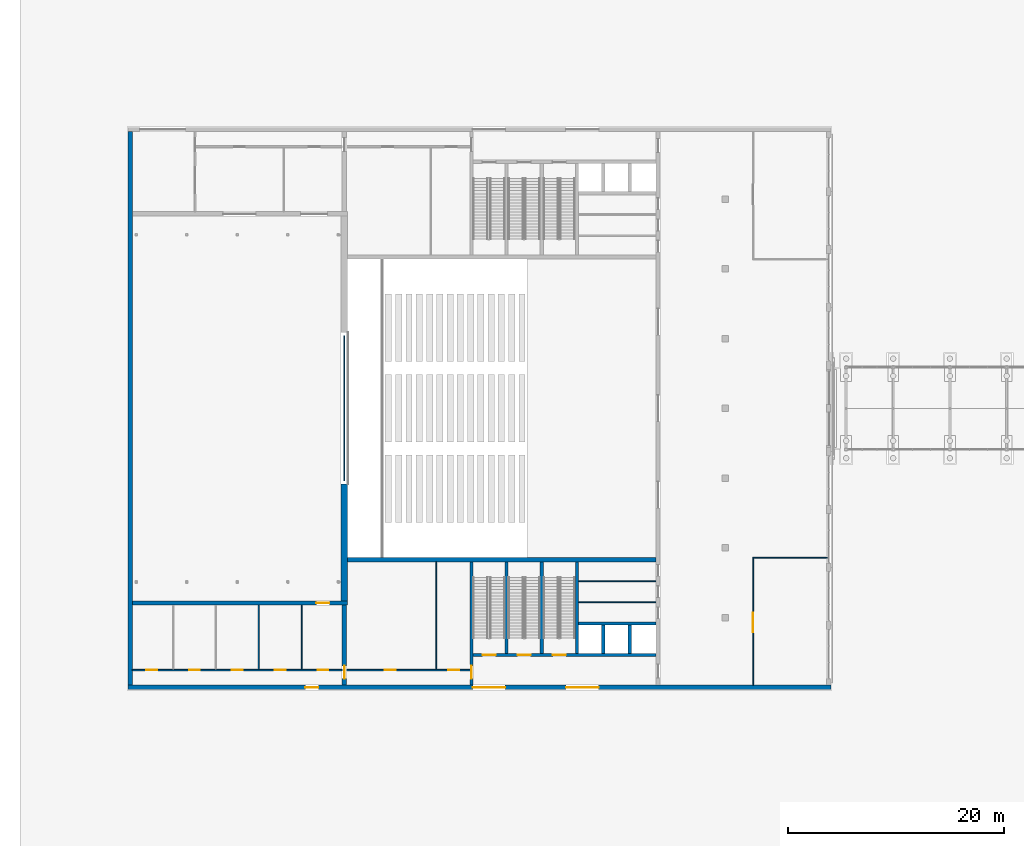
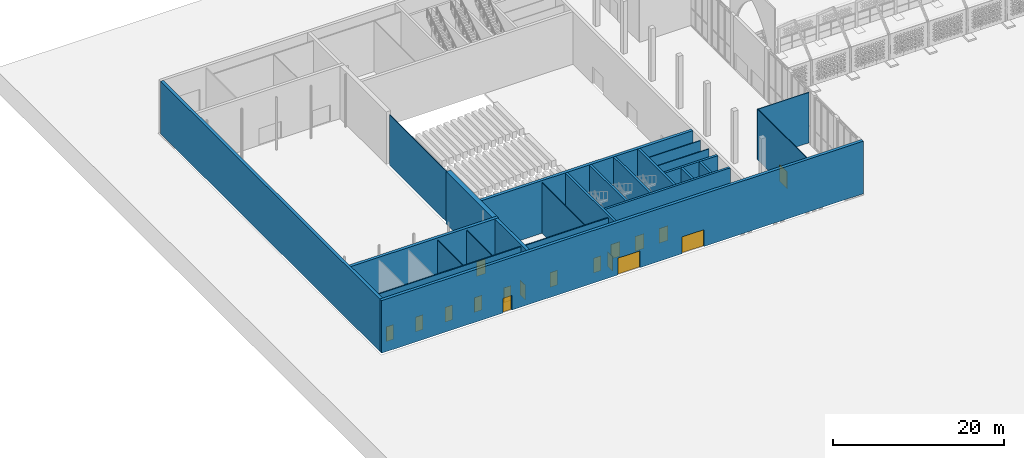
# One storey, part 39 of 79: 24 walls, 17 doors, 17 openings.
"""IFC4 building model written with IfcOpenShell, lengths in metres."""

from ifc_helpers import new_model, si_unit, direction, frame, frame_2d, origin, place, context, subcontext, project, spatial, rectangle, extrude, material, layer, layer_set, type_object, element, fill, save


model = new_model("IFC4")

# Units and contexts
model_context = context("Model", 3, precision=1e-05, world=origin(), true_north=direction((0.0, 1.0)))
body_context = subcontext(model_context, "Body", "Model", "MODEL_VIEW")
ifc_project = project(units=[si_unit("LENGTHUNIT", "METRE"), si_unit("AREAUNIT", "SQUARE_METRE"), si_unit("VOLUMEUNIT", "CUBIC_METRE"), si_unit("PLANEANGLEUNIT", "RADIAN"), si_unit("MASSUNIT", "GRAM", prefix="KILO")], contexts=[model_context])

# Site, building, storey
site_placement = place(None, origin())
site = spatial("IfcSite", under=ifc_project, at=site_placement, CompositionType="ELEMENT")
building_placement = place(site_placement, origin())
building = spatial("IfcBuilding", under=site, at=building_placement, Name="Noorbagh Ring Tower", CompositionType="ELEMENT")
storey_placement = place(building_placement, origin())
storey = spatial("IfcBuildingStorey", under=building, at=storey_placement, Name="L00", CompositionType="ELEMENT", Elevation=0.0)

# Walls
ifc_material_1 = material(Name="Gypsum board on steel studs", Category="steel")
ifc_layer_1 = layer(ifc_material_1, 0.10009765625)
ifc_layer_set_1 = layer_set([ifc_layer_1], Name="Gypsum board on steel studs")
wall_type_1 = type_object("IfcWallType", Name="TH-PART-100", PredefinedType="PARTITIONING", material=ifc_layer_set_1)
for number, where, z_axis, x_axis, name in (
    (1, (-118.35009765625, -12.93310546875, 0.0), (0.0, 0.0, 1.0), (1.0, 0.0, 0.0), "L00/th-wall/049"),
    (2, (-118.35009765625, -10.967041015625, 0.0), (0.0, 0.0, 1.0), (1.0, 0.0, 0.0), "L00/th-wall/050"),
):
    element("IfcWall", number, at=place(storey_placement, frame(where, z_axis=z_axis, x_axis=x_axis)), inside=storey, type_object=wall_type_1, Name=name, PredefinedType="PARTITIONING", context=body_context, shape_type="SweptSolid", body=[
        extrude(rectangle(XDim=7.150146484375, YDim=0.10009765625, at=frame_2d((3.5751953125, 0.0))), origin(), (0.0, 0.0, 1.0), 7.199951171875),
    ])
wall_1_placement = place(storey_placement, frame((-102.25, -8.800048828125, 0.0), z_axis=(0.0, 0.0, 1.0), x_axis=(1.0, 0.0, 0.0)))
element("IfcWall", 3, at=wall_1_placement, inside=storey, type_object=wall_type_1, Name="L00/th-wall/051", PredefinedType="PARTITIONING", context=body_context, shape_type="SweptSolid", body=[
    extrude(rectangle(XDim=6.949951171875, YDim=0.10009765625, at=frame_2d((3.47509765625, 0.0))), origin(), (0.0, 0.0, 1.0), 7.199951171875),
])
for number, where, z_axis, x_axis, name in (
    (4, (-147.919921875, -19.125, 0.0), (0.0, 0.0, 1.0), (0.0, 1.0, 0.0), "L00/th-wall/060"),
    (5, (-143.9599609375, -19.125, 0.0), (0.0, 0.0, 1.0), (0.0, 1.0, 0.0), "L00/th-wall/062"),
):
    element("IfcWall", number, at=place(storey_placement, frame(where, z_axis=z_axis, x_axis=x_axis)), inside=storey, type_object=wall_type_1, Name=name, PredefinedType="PARTITIONING", context=body_context, shape_type="SweptSolid", body=[
        extrude(rectangle(XDim=5.925048828125, YDim=0.10009765625, at=frame_2d((2.96240234375, 0.0))), origin(), (0.0, 0.0, 1.0), 7.199951171875),
    ])
wall_2_placement = place(storey_placement, frame((-140.0, -1.699951171875, 0.0), z_axis=(0.0, 0.0, 1.0), x_axis=(0.0, 1.0, 0.0)))
element("IfcWall", 6, at=wall_2_placement, inside=storey, type_object=wall_type_1, Name="L00/th-wall/063", PredefinedType="PARTITIONING", context=body_context, shape_type="SweptSolid", body=[
    extrude(rectangle(XDim=13.39990234375, YDim=0.10009765625, at=frame_2d((6.699951171875, 0.0))), origin(), (0.0, 0.0, 1.0), 7.199951171875),
])
wall_3_placement = place(storey_placement, frame((-131.5, -19.125, 0.0), z_axis=(0.0, 0.0, 1.0), x_axis=(0.0, 1.0, 0.0)))
element("IfcWall", 7, at=wall_3_placement, inside=storey, type_object=wall_type_1, Name="L00/th-wall/065", PredefinedType="PARTITIONING", context=body_context, shape_type="SweptSolid", body=[
    extrude(rectangle(XDim=9.925048828125, YDim=0.10009765625, at=frame_2d((4.96240234375, 0.0))), origin(), (0.0, 0.0, 1.0), 7.199951171875),
])

# Wall, opening, door
wall_4_placement = place(storey_placement, frame((-102.199951171875, -20.60009765625, 0.0), z_axis=(0.0, 0.0, 1.0), x_axis=(0.0, 1.0, 0.0)))
wall_4 = element("IfcWall", 8, at=wall_4_placement, inside=storey, type_object=wall_type_1, Name="L00/th-wall/066", PredefinedType="PARTITIONING", context=body_context, shape_type="SweptSolid", body=[
    extrude(rectangle(XDim=11.75, YDim=0.10009765625, at=frame_2d((5.875, 0.0))), origin(), (0.0, 0.0, 1.0), 7.199951171875),
])
opening_1_placement = place(wall_4_placement, frame((4.89990234375, 0.0, 0.0)))
opening_1 = element("IfcOpeningElement", 9, at=opening_1_placement, cuts=wall_4, Name="Opening TL00-D38", PredefinedType="OPENING", context=body_context, shape_type="SweptSolid", body=[
    extrude(rectangle(XDim=1.800048828125, YDim=2.39990234375, at=frame_2d((0.89990234375, 1.199951171875))), frame((0.0, 0.06005859375, 0.0), z_axis=(0.0, -1.0, 0.0), x_axis=(1.0, 0.0, 0.0)), (0.0, 0.0, 1.0), 0.1201171875),
])
ifc_material_2 = material(Name="Timber", Category="wood")
door_type_1 = type_object("IfcDoorType", Name="TH-DOOR-DBL-1800", OperationType="DOUBLE_DOOR_SINGLE_SWING", PredefinedType="DOOR", material=ifc_material_2)
door_1_placement = place(opening_1_placement, origin())
door_1 = element("IfcDoor", 10, at=door_1_placement, inside=storey, type_object=door_type_1, Name="Door Grand foyer to Box office TL00-D38", OperationType="DOUBLE_DOOR_SINGLE_SWING", OverallHeight=2.39990234375, OverallWidth=1.800048828125, PredefinedType="DOOR", context=body_context, shape_type="SweptSolid", body=[
    extrude(rectangle(XDim=1.800048828125, YDim=2.39990234375, at=frame_2d((0.89990234375, 1.199951171875))), frame((0.0, 0.02490234375, 0.0), z_axis=(0.0, -1.0, 0.0), x_axis=(1.0, 0.0, 0.0)), (0.0, 0.0, 1.0), 0.050048828125),
])
fill(opening_1, door_1)

# Wall, openings, doors
ifc_material_3 = material(Name="Gypsum board on steel studs", Category="steel")
ifc_layer_2 = layer(ifc_material_3, 0.14990234375)
ifc_layer_set_2 = layer_set([ifc_layer_2], Name="Gypsum board on steel studs")
wall_type_2 = type_object("IfcWallType", Name="TH-PART-150", PredefinedType="PARTITIONING", material=ifc_layer_set_2)
wall_5_placement = place(storey_placement, frame((-159.60009765625, -19.199951171875, 0.0), z_axis=(0.0, 0.0, 1.0), x_axis=(1.0, 0.0, 0.0)))
wall_5 = element("IfcWall", 11, at=wall_5_placement, inside=storey, type_object=wall_type_2, Name="L00/th-wall/047", PredefinedType="PARTITIONING", context=body_context, shape_type="SweptSolid", body=[
    extrude(rectangle(XDim=19.400146484375, YDim=0.14990234375, at=frame_2d((9.7001953125, 0.0))), origin(), (0.0, 0.0, 1.0), 7.199951171875),
])
opening_2_placement = place(wall_5_placement, frame((1.280029296875, 0.0, 0.0)))
opening_2 = element("IfcOpeningElement", 12, at=opening_2_placement, cuts=wall_5, Name="Opening TL00-D01", PredefinedType="OPENING", context=body_context, shape_type="SweptSolid", body=[
    extrude(rectangle(XDim=1.0, YDim=2.10009765625, at=frame_2d((0.5, 1.050048828125))), frame((0.0, 0.0849609375, 0.0), z_axis=(0.0, -1.0, 0.0), x_axis=(1.0, 0.0, 0.0)), (0.0, 0.0, 1.0), 0.169921875),
])
opening_3_placement = place(wall_5_placement, frame((5.239990234375, 0.0, 0.0)))
opening_3 = element("IfcOpeningElement", 13, at=opening_3_placement, cuts=wall_5, Name="Opening TL00-D02", PredefinedType="OPENING", context=body_context, shape_type="SweptSolid", body=[
    extrude(rectangle(XDim=1.0, YDim=2.10009765625, at=frame_2d((0.5, 1.050048828125))), frame((0.0, 0.0849609375, 0.0), z_axis=(0.0, -1.0, 0.0), x_axis=(1.0, 0.0, 0.0)), (0.0, 0.0, 1.0), 0.169921875),
])
opening_4_placement = place(wall_5_placement, frame((9.199951171875, 0.0, 0.0)))
opening_4 = element("IfcOpeningElement", 14, at=opening_4_placement, cuts=wall_5, Name="Opening TL00-D03", PredefinedType="OPENING", context=body_context, shape_type="SweptSolid", body=[
    extrude(rectangle(XDim=1.0, YDim=2.10009765625, at=frame_2d((0.5, 1.050048828125))), frame((0.0, 0.0849609375, 0.0), z_axis=(0.0, -1.0, 0.0), x_axis=(1.0, 0.0, 0.0)), (0.0, 0.0, 1.0), 0.169921875),
])
opening_5_placement = place(wall_5_placement, frame((13.159912109375, 0.0, 0.0)))
opening_5 = element("IfcOpeningElement", 15, at=opening_5_placement, cuts=wall_5, Name="Opening TL00-D04", PredefinedType="OPENING", context=body_context, shape_type="SweptSolid", body=[
    extrude(rectangle(XDim=1.0, YDim=2.10009765625, at=frame_2d((0.5, 1.050048828125))), frame((0.0, 0.0849609375, 0.0), z_axis=(0.0, -1.0, 0.0), x_axis=(1.0, 0.0, 0.0)), (0.0, 0.0, 1.0), 0.169921875),
])
opening_6_placement = place(wall_5_placement, frame((17.1201171875, 0.0, 0.0)))
opening_6 = element("IfcOpeningElement", 16, at=opening_6_placement, cuts=wall_5, Name="Opening TL00-D05", PredefinedType="OPENING", context=body_context, shape_type="SweptSolid", body=[
    extrude(rectangle(XDim=1.0, YDim=2.10009765625, at=frame_2d((0.5, 1.050048828125))), frame((0.0, 0.0849609375, 0.0), z_axis=(0.0, -1.0, 0.0), x_axis=(1.0, 0.0, 0.0)), (0.0, 0.0, 1.0), 0.169921875),
])
ifc_material_4 = material(Name="Timber", Category="wood")
door_type_2 = type_object("IfcDoorType", Name="TH-DOOR-1000", OperationType="SINGLE_SWING_LEFT", PredefinedType="DOOR", material=ifc_material_4)
door_2_placement = place(opening_2_placement, origin())
door_2 = element("IfcDoor", 17, at=door_2_placement, inside=storey, type_object=door_type_2, Name="Door Corridor to Dressing room 1 TL00-D01", OperationType="SINGLE_SWING_RIGHT", OverallHeight=2.10009765625, OverallWidth=1.0, PredefinedType="DOOR", context=body_context, shape_type="SweptSolid", body=[
    extrude(rectangle(XDim=1.0, YDim=2.10009765625, at=frame_2d((0.5, 1.050048828125))), frame((0.0, 0.02490234375, 0.0), z_axis=(0.0, -1.0, 0.0), x_axis=(1.0, 0.0, 0.0)), (0.0, 0.0, 1.0), 0.050048828125),
])
fill(opening_2, door_2)
door_3_placement = place(opening_3_placement, origin())
door_3 = element("IfcDoor", 18, at=door_3_placement, inside=storey, type_object=door_type_2, Name="Door Corridor to Dressing room 2 TL00-D02", OperationType="SINGLE_SWING_RIGHT", OverallHeight=2.10009765625, OverallWidth=1.0, PredefinedType="DOOR", context=body_context, shape_type="SweptSolid", body=[
    extrude(rectangle(XDim=1.0, YDim=2.10009765625, at=frame_2d((0.5, 1.050048828125))), frame((0.0, 0.02490234375, 0.0), z_axis=(0.0, -1.0, 0.0), x_axis=(1.0, 0.0, 0.0)), (0.0, 0.0, 1.0), 0.050048828125),
])
fill(opening_3, door_3)
door_4_placement = place(opening_4_placement, origin())
door_4 = element("IfcDoor", 19, at=door_4_placement, inside=storey, type_object=door_type_2, Name="Door Corridor to Dressing room 3 TL00-D03", OperationType="SINGLE_SWING_RIGHT", OverallHeight=2.10009765625, OverallWidth=1.0, PredefinedType="DOOR", context=body_context, shape_type="SweptSolid", body=[
    extrude(rectangle(XDim=1.0, YDim=2.10009765625, at=frame_2d((0.5, 1.050048828125))), frame((0.0, 0.02490234375, 0.0), z_axis=(0.0, -1.0, 0.0), x_axis=(1.0, 0.0, 0.0)), (0.0, 0.0, 1.0), 0.050048828125),
])
fill(opening_4, door_4)
door_5_placement = place(opening_5_placement, origin())
door_5 = element("IfcDoor", 20, at=door_5_placement, inside=storey, type_object=door_type_2, Name="Door Corridor to Dressing room 4 TL00-D04", OperationType="SINGLE_SWING_LEFT", OverallHeight=2.10009765625, OverallWidth=1.0, PredefinedType="DOOR", context=body_context, shape_type="SweptSolid", body=[
    extrude(rectangle(XDim=1.0, YDim=2.10009765625, at=frame_2d((0.5, 1.050048828125))), frame((0.0, 0.02490234375, 0.0), z_axis=(0.0, -1.0, 0.0), x_axis=(1.0, 0.0, 0.0)), (0.0, 0.0, 1.0), 0.050048828125),
])
fill(opening_5, door_5)
ifc_material_5 = material(Name="Steel", Category="steel")
door_type_3 = type_object("IfcDoorType", Name="TH-DOOR-FIRE-1000", OperationType="SINGLE_SWING_LEFT", PredefinedType="DOOR", material=ifc_material_5)
door_6_placement = place(opening_6_placement, origin())
door_6 = element("IfcDoor", 21, at=door_6_placement, inside=storey, type_object=door_type_3, Name="Door Corridor to Stage-left entrance lobby TL00-D05", OperationType="SINGLE_SWING_LEFT", OverallHeight=2.10009765625, OverallWidth=1.0, PredefinedType="DOOR", context=body_context, shape_type="SweptSolid", body=[
    extrude(rectangle(XDim=1.0, YDim=2.10009765625, at=frame_2d((0.5, 1.050048828125))), frame((0.0, 0.02490234375, 0.0), z_axis=(0.0, -1.0, 0.0), x_axis=(1.0, 0.0, 0.0)), (0.0, 0.0, 1.0), 0.050048828125),
])
fill(opening_6, door_6)

wall_6_placement = place(storey_placement, frame((-139.800048828125, -19.199951171875, 0.0), z_axis=(0.0, 0.0, 1.0), x_axis=(1.0, 0.0, 0.0)))
wall_6 = element("IfcWall", 22, at=wall_6_placement, inside=storey, type_object=wall_type_2, Name="L00/th-wall/048", PredefinedType="PARTITIONING", context=body_context, shape_type="SweptSolid", body=[
    extrude(rectangle(XDim=11.400146484375, YDim=0.14990234375, at=frame_2d((5.7001953125, 0.0))), origin(), (0.0, 0.0, 1.0), 7.199951171875),
])
opening_7_placement = place(wall_6_placement, frame((3.550048828125, 0.0, 0.0)))
opening_7 = element("IfcOpeningElement", 23, at=opening_7_placement, cuts=wall_6, Name="Opening TL00-D06", PredefinedType="OPENING", context=body_context, shape_type="SweptSolid", body=[
    extrude(rectangle(XDim=1.0, YDim=2.10009765625, at=frame_2d((0.5, 1.050048828125))), frame((0.0, 0.0849609375, 0.0), z_axis=(0.0, -1.0, 0.0), x_axis=(1.0, 0.0, 0.0)), (0.0, 0.0, 1.0), 0.169921875),
])
opening_8_placement = place(wall_6_placement, frame((9.425048828125, 0.0, 0.0)))
opening_8 = element("IfcOpeningElement", 24, at=opening_8_placement, cuts=wall_6, Name="Opening TL00-D07", PredefinedType="OPENING", context=body_context, shape_type="SweptSolid", body=[
    extrude(rectangle(XDim=1.0, YDim=2.10009765625, at=frame_2d((0.5, 1.050048828125))), frame((0.0, 0.0849609375, 0.0), z_axis=(0.0, -1.0, 0.0), x_axis=(1.0, 0.0, 0.0)), (0.0, 0.0, 1.0), 0.169921875),
])
door_7_placement = place(opening_7_placement, origin())
door_7 = element("IfcDoor", 25, at=door_7_placement, inside=storey, type_object=door_type_2, Name="Door Corridor to Green room TL00-D06", OperationType="SINGLE_SWING_RIGHT", OverallHeight=2.10009765625, OverallWidth=1.0, PredefinedType="DOOR", context=body_context, shape_type="SweptSolid", body=[
    extrude(rectangle(XDim=1.0, YDim=2.10009765625, at=frame_2d((0.5, 1.050048828125))), frame((0.0, 0.02490234375, 0.0), z_axis=(0.0, -1.0, 0.0), x_axis=(1.0, 0.0, 0.0)), (0.0, 0.0, 1.0), 0.050048828125),
])
fill(opening_7, door_7)
door_8_placement = place(opening_8_placement, origin())
door_8 = element("IfcDoor", 26, at=door_8_placement, inside=storey, type_object=door_type_2, Name="Door Corridor to Production office TL00-D07", OperationType="SINGLE_SWING_LEFT", OverallHeight=2.10009765625, OverallWidth=1.0, PredefinedType="DOOR", context=body_context, shape_type="SweptSolid", body=[
    extrude(rectangle(XDim=1.0, YDim=2.10009765625, at=frame_2d((0.5, 1.050048828125))), frame((0.0, 0.02490234375, 0.0), z_axis=(0.0, -1.0, 0.0), x_axis=(1.0, 0.0, 0.0)), (0.0, 0.0, 1.0), 0.050048828125),
])
fill(opening_8, door_8)

# Wall, opening, door
ifc_material_6 = material(Name="Concrete C50/60", Category="concrete")
ifc_layer_3 = layer(ifc_material_6, 0.300048828125)
ifc_layer_set_3 = layer_set([ifc_layer_3], Name="Concrete C50/60")
wall_type_3 = type_object("IfcWallType", Name="TH-WALL-CORE", PredefinedType="SHEAR", material=ifc_layer_set_3)
wall_7_placement = place(storey_placement, frame((-128.25, -20.60009765625, 0.0), z_axis=(0.0, 0.0, 1.0), x_axis=(0.0, 1.0, 0.0)))
wall_7 = element("IfcWall", 27, at=wall_7_placement, inside=storey, type_object=wall_type_3, Name="Core wall", PredefinedType="SHEAR", context=body_context, shape_type="SweptSolid", body=[
    extrude(rectangle(XDim=11.400146484375, YDim=0.300048828125, at=frame_2d((5.7001953125, 0.0))), origin(), (0.0, 0.0, 1.0), 7.5),
])
opening_9_placement = place(wall_7_placement, frame((0.60009765625, 0.0, 0.0)))
opening_9 = element("IfcOpeningElement", 28, at=opening_9_placement, cuts=wall_7, Name="Opening TL00-D09", PredefinedType="OPENING", context=body_context, shape_type="SweptSolid", body=[
    extrude(rectangle(XDim=1.199951171875, YDim=2.10009765625, at=frame_2d((0.60009765625, 1.050048828125))), frame((0.0, 0.16015625, 0.0), z_axis=(0.0, -1.0, 0.0), x_axis=(1.0, 0.0, 0.0)), (0.0, 0.0, 1.0), 0.320068359375),
])
ifc_material_7 = material(Name="Steel", Category="steel")
door_type_4 = type_object("IfcDoorType", Name="TH-DOOR-FIRE-1200", OperationType="SINGLE_SWING_LEFT", PredefinedType="DOOR", material=ifc_material_7)
door_9_placement = place(opening_9_placement, origin())
door_9 = element("IfcDoor", 29, at=door_9_placement, inside=storey, type_object=door_type_4, Name="Door Corridor to Exit lobby TL00-D09", OperationType="SINGLE_SWING_LEFT", OverallHeight=2.10009765625, OverallWidth=1.199951171875, PredefinedType="DOOR", context=body_context, shape_type="SweptSolid", body=[
    extrude(rectangle(XDim=1.199951171875, YDim=2.10009765625, at=frame_2d((0.60009765625, 1.050048828125))), frame((0.0, 0.02490234375, 0.0), z_axis=(0.0, -1.0, 0.0), x_axis=(1.0, 0.0, 0.0)), (0.0, 0.0, 1.0), 0.050048828125),
])
fill(opening_9, door_9)

# Wall, openings, doors
wall_8_placement = place(storey_placement, frame((-128.10009765625, -17.800048828125, 0.0), z_axis=(0.0, 0.0, 1.0), x_axis=(1.0, 0.0, 0.0)))
wall_8 = element("IfcWall", 30, at=wall_8_placement, inside=storey, type_object=wall_type_3, Name="Exit lobby wall", PredefinedType="SHEAR", context=body_context, shape_type="SweptSolid", body=[
    extrude(rectangle(XDim=16.900146484375, YDim=0.300048828125, at=frame_2d((8.4501953125, 0.0))), origin(), (0.0, 0.0, 1.0), 7.5),
])
opening_10_placement = place(wall_8_placement, frame((4.125, 0.0, 0.0)))
opening_10 = element("IfcOpeningElement", 31, at=opening_10_placement, cuts=wall_8, Name="Opening TL00-D10", PredefinedType="OPENING", context=body_context, shape_type="SweptSolid", body=[
    extrude(rectangle(XDim=1.199951171875, YDim=2.10009765625, at=frame_2d((0.60009765625, 1.050048828125))), frame((0.0, 0.16015625, 0.0), z_axis=(0.0, -1.0, 0.0), x_axis=(1.0, 0.0, 0.0)), (0.0, 0.0, 1.0), 0.320068359375),
])
opening_11_placement = place(wall_8_placement, frame((7.375, 0.0, 0.0)))
opening_11 = element("IfcOpeningElement", 32, at=opening_11_placement, cuts=wall_8, Name="Opening TL00-D11", PredefinedType="OPENING", context=body_context, shape_type="SweptSolid", body=[
    extrude(rectangle(XDim=1.199951171875, YDim=2.10009765625, at=frame_2d((0.60009765625, 1.050048828125))), frame((0.0, 0.16015625, 0.0), z_axis=(0.0, -1.0, 0.0), x_axis=(1.0, 0.0, 0.0)), (0.0, 0.0, 1.0), 0.320068359375),
])
opening_12_placement = place(wall_8_placement, frame((0.875, 0.0, 0.0)))
opening_12 = element("IfcOpeningElement", 33, at=opening_12_placement, cuts=wall_8, Name="Opening TL00-D12", PredefinedType="OPENING", context=body_context, shape_type="SweptSolid", body=[
    extrude(rectangle(XDim=1.199951171875, YDim=2.10009765625, at=frame_2d((0.60009765625, 1.050048828125))), frame((0.0, 0.16015625, 0.0), z_axis=(0.0, -1.0, 0.0), x_axis=(1.0, 0.0, 0.0)), (0.0, 0.0, 1.0), 0.320068359375),
])
ifc_material_8 = material(Name="Steel", Category="steel")
door_type_5 = type_object("IfcDoorType", Name="TH-DOOR-STAIR-1200", OperationType="SINGLE_SWING_LEFT", PredefinedType="DOOR", material=ifc_material_8)
door_10_placement = place(opening_10_placement, origin())
door_10 = element("IfcDoor", 34, at=door_10_placement, inside=storey, type_object=door_type_5, Name="Door Exit lobby to Exit stair S1 TL00-D10", OperationType="SINGLE_SWING_RIGHT", OverallHeight=2.10009765625, OverallWidth=1.199951171875, PredefinedType="DOOR", context=body_context, shape_type="SweptSolid", body=[
    extrude(rectangle(XDim=1.199951171875, YDim=2.10009765625, at=frame_2d((0.60009765625, 1.050048828125))), frame((0.0, 0.02490234375, 0.0), z_axis=(0.0, -1.0, 0.0), x_axis=(1.0, 0.0, 0.0)), (0.0, 0.0, 1.0), 0.050048828125),
])
fill(opening_10, door_10)
door_11_placement = place(opening_11_placement, origin())
door_11 = element("IfcDoor", 35, at=door_11_placement, inside=storey, type_object=door_type_5, Name="Door Exit lobby to Exit stair S2 TL00-D11", OperationType="SINGLE_SWING_RIGHT", OverallHeight=2.10009765625, OverallWidth=1.199951171875, PredefinedType="DOOR", context=body_context, shape_type="SweptSolid", body=[
    extrude(rectangle(XDim=1.199951171875, YDim=2.10009765625, at=frame_2d((0.60009765625, 1.050048828125))), frame((0.0, 0.02490234375, 0.0), z_axis=(0.0, -1.0, 0.0), x_axis=(1.0, 0.0, 0.0)), (0.0, 0.0, 1.0), 0.050048828125),
])
fill(opening_11, door_11)
door_12_placement = place(opening_12_placement, origin())
door_12 = element("IfcDoor", 36, at=door_12_placement, inside=storey, type_object=door_type_5, Name="Door Exit lobby to Exit stair S3 TL00-D12", OperationType="SINGLE_SWING_RIGHT", OverallHeight=2.10009765625, OverallWidth=1.199951171875, PredefinedType="DOOR", context=body_context, shape_type="SweptSolid", body=[
    extrude(rectangle(XDim=1.199951171875, YDim=2.10009765625, at=frame_2d((0.60009765625, 1.050048828125))), frame((0.0, 0.02490234375, 0.0), z_axis=(0.0, -1.0, 0.0), x_axis=(1.0, 0.0, 0.0)), (0.0, 0.0, 1.0), 0.050048828125),
])
fill(opening_12, door_12)

# Walls
for number, where, z_axis, x_axis, name in (
    (37, (-125.0, -17.64990234375, 0.0), (0.0, 0.0, 1.0), (0.0, 1.0, 0.0), "Stair wall"),
    (38, (-121.75, -17.64990234375, 0.0), (0.0, 0.0, 1.0), (0.0, 1.0, 0.0), "Stair wall"),
    (39, (-118.5, -17.64990234375, 0.0), (0.0, 0.0, 1.0), (0.0, 1.0, 0.0), "Stair wall"),
):
    element("IfcWall", number, at=place(storey_placement, frame(where, z_axis=z_axis, x_axis=x_axis)), inside=storey, type_object=wall_type_3, Name=name, PredefinedType="SHEAR", context=body_context, shape_type="SweptSolid", body=[
        extrude(rectangle(XDim=8.449951171875, YDim=0.300048828125, at=frame_2d((4.22509765625, 0.0))), origin(), (0.0, 0.0, 1.0), 7.5),
    ])
wall_9_placement = place(storey_placement, frame((-118.35009765625, -14.89990234375, 0.0), z_axis=(0.0, 0.0, 1.0), x_axis=(1.0, 0.0, 0.0)))
element("IfcWall", 40, at=wall_9_placement, inside=storey, type_object=wall_type_3, Name="Lift shaft wall", PredefinedType="SHEAR", context=body_context, shape_type="SweptSolid", body=[
    extrude(rectangle(XDim=7.150146484375, YDim=0.300048828125, at=frame_2d((3.5751953125, 0.0))), origin(), (0.0, 0.0, 1.0), 7.5),
])
for number, where, z_axis, x_axis, name in (
    (41, (-116.050048828125, -17.64990234375, 0.0), (0.0, 0.0, 1.0), (0.0, 1.0, 0.0), "Lift shaft wall"),
    (42, (-113.60009765625, -17.64990234375, 0.0), (0.0, 0.0, 1.0), (0.0, 1.0, 0.0), "Lift shaft wall"),
):
    element("IfcWall", number, at=place(storey_placement, frame(where, z_axis=z_axis, x_axis=x_axis)), inside=storey, type_object=wall_type_3, Name=name, PredefinedType="SHEAR", context=body_context, shape_type="SweptSolid", body=[
        extrude(rectangle(XDim=2.599853515625, YDim=0.300048828125, at=frame_2d((1.2998046875, 0.0))), origin(), (0.0, 0.0, 1.0), 7.5),
    ])
ifc_material_9 = material(Name="Concrete C50/60", Category="concrete")
ifc_layer_4 = layer(ifc_material_9, 0.39990234375)
ifc_layer_set_4 = layer_set([ifc_layer_4], Name="Concrete C50/60")
wall_type_4 = type_object("IfcWallType", Name="TH-WALL-HALL", PredefinedType="SOLIDWALL", material=ifc_layer_set_4)
wall_10_placement = place(storey_placement, frame((-139.699951171875, -9.0, 0.0), z_axis=(0.0, 0.0, 1.0), x_axis=(1.0, 0.0, 0.0)))
element("IfcWall", 43, at=wall_10_placement, inside=storey, type_object=wall_type_4, Name="Auditorium wall south", PredefinedType="SOLIDWALL", context=body_context, shape_type="SweptSolid", body=[
    extrude(rectangle(XDim=28.5, YDim=0.39990234375, at=frame_2d((14.25, 0.0))), origin(), (0.0, 0.0, 1.0), 7.5),
])

# Wall, opening, door
ifc_material_10 = material(Name="Concrete C40/50", Category="concrete")
ifc_layer_5 = layer(ifc_material_10, 0.39990234375)
ifc_layer_set_5 = layer_set([ifc_layer_5], Name="Concrete C40/50")
wall_type_5 = type_object("IfcWallType", Name="TH-WALL-INNER", PredefinedType="SOLIDWALL", material=ifc_layer_set_5)
wall_11_placement = place(storey_placement, frame((-140.0, -20.60009765625, 0.0), z_axis=(0.0, 0.0, 1.0), x_axis=(0.0, 1.0, 0.0)))
wall_11 = element("IfcWall", 44, at=wall_11_placement, inside=storey, type_object=wall_type_5, Name="Stage block wall", PredefinedType="SOLIDWALL", context=body_context, shape_type="SweptSolid", body=[
    extrude(rectangle(XDim=7.400146484375, YDim=0.39990234375, at=frame_2d((3.7001953125, 0.0))), origin(), (0.0, 0.0, 1.0), 7.5),
])
opening_13_placement = place(wall_11_placement, frame((0.60009765625, 0.0, 0.0)))
opening_13 = element("IfcOpeningElement", 45, at=opening_13_placement, cuts=wall_11, Name="Opening TL00-D08", PredefinedType="OPENING", context=body_context, shape_type="SweptSolid", body=[
    extrude(rectangle(XDim=1.199951171875, YDim=2.10009765625, at=frame_2d((0.60009765625, 1.050048828125))), frame((0.0, 0.2099609375, 0.0), z_axis=(0.0, -1.0, 0.0), x_axis=(1.0, 0.0, 0.0)), (0.0, 0.0, 1.0), 0.419921875),
])
ifc_material_11 = material(Name="Timber", Category="wood")
door_type_6 = type_object("IfcDoorType", Name="TH-DOOR-1200", OperationType="SINGLE_SWING_LEFT", PredefinedType="DOOR", material=ifc_material_11)
door_13_placement = place(opening_13_placement, origin())
door_13 = element("IfcDoor", 46, at=door_13_placement, inside=storey, type_object=door_type_6, Name="Door Corridor to Corridor TL00-D08", OperationType="SINGLE_SWING_LEFT", OverallHeight=2.10009765625, OverallWidth=1.199951171875, PredefinedType="DOOR", context=body_context, shape_type="SweptSolid", body=[
    extrude(rectangle(XDim=1.199951171875, YDim=2.10009765625, at=frame_2d((0.60009765625, 1.050048828125))), frame((0.0, 0.02490234375, 0.0), z_axis=(0.0, -1.0, 0.0), x_axis=(1.0, 0.0, 0.0)), (0.0, 0.0, 1.0), 0.050048828125),
])
fill(opening_13, door_13)

wall_12_placement = place(storey_placement, frame((-159.60009765625, -13.0, 0.0), z_axis=(0.0, 0.0, 1.0), x_axis=(1.0, 0.0, 0.0)))
wall_12 = element("IfcWall", 47, at=wall_12_placement, inside=storey, type_object=wall_type_5, Name="Stage house wall south", PredefinedType="SOLIDWALL", context=body_context, shape_type="SweptSolid", body=[
    extrude(rectangle(XDim=19.900146484375, YDim=0.39990234375, at=frame_2d((9.9501953125, 0.0))), origin(), (0.0, 0.0, 1.0), 7.5),
])
opening_14_placement = place(wall_12_placement, frame((17.02001953125, 0.0, 0.0)))
opening_14 = element("IfcOpeningElement", 48, at=opening_14_placement, cuts=wall_12, Name="Opening TL00-D27", PredefinedType="OPENING", context=body_context, shape_type="SweptSolid", body=[
    extrude(rectangle(XDim=1.199951171875, YDim=2.10009765625, at=frame_2d((0.60009765625, 1.050048828125))), frame((0.0, 0.2099609375, 0.0), z_axis=(0.0, -1.0, 0.0), x_axis=(1.0, 0.0, 0.0)), (0.0, 0.0, 1.0), 0.419921875),
])
door_14_placement = place(opening_14_placement, origin())
door_14 = element("IfcDoor", 49, at=door_14_placement, inside=storey, type_object=door_type_4, Name="Door Stage-left entrance lobby to Stage TL00-D27", OperationType="SINGLE_SWING_LEFT", OverallHeight=2.10009765625, OverallWidth=1.199951171875, PredefinedType="DOOR", context=body_context, shape_type="SweptSolid", body=[
    extrude(rectangle(XDim=1.199951171875, YDim=2.10009765625, at=frame_2d((0.60009765625, 1.050048828125))), frame((0.0, 0.02490234375, 0.0), z_axis=(0.0, -1.0, 0.0), x_axis=(1.0, 0.0, 0.0)), (0.0, 0.0, 1.0), 0.050048828125),
])
fill(opening_14, door_14)

# Wall, openings, doors
ifc_material_12 = material(Name="Concrete C40/50", Category="concrete")
ifc_layer_6 = layer(ifc_material_12, 0.39990234375)
ifc_layer_set_6 = layer_set([ifc_layer_6], Name="Concrete C40/50")
wall_type_6 = type_object("IfcWallType", Name="TH-WALL-OUTER", PredefinedType="SOLIDWALL", material=ifc_layer_set_6)
wall_13_placement = place(storey_placement, frame((-160.0, -20.800048828125, 0.0), z_axis=(0.0, 0.0, 1.0), x_axis=(1.0, 0.0, 0.0)))
wall_13 = element("IfcWall", 50, at=wall_13_placement, inside=storey, type_object=wall_type_6, Name="Outer wall south", PredefinedType="SOLIDWALL", context=body_context, shape_type="SweptSolid", body=[
    extrude(rectangle(XDim=65.0, YDim=0.39990234375, at=frame_2d((32.5, 0.0))), origin(), (0.0, 0.0, 1.0), 7.5),
])
opening_15_placement = place(wall_13_placement, frame((40.5, 0.0, 0.0)))
opening_15 = element("IfcOpeningElement", 51, at=opening_15_placement, cuts=wall_13, Name="Opening TL00-D28", PredefinedType="OPENING", context=body_context, shape_type="SweptSolid", body=[
    extrude(rectangle(XDim=3.0, YDim=2.39990234375, at=frame_2d((1.5, 1.199951171875))), frame((0.0, 0.2099609375, 0.0), z_axis=(0.0, -1.0, 0.0), x_axis=(1.0, 0.0, 0.0)), (0.0, 0.0, 1.0), 0.419921875),
])
opening_16_placement = place(wall_13_placement, frame((31.875, 0.0, 0.0)))
opening_16 = element("IfcOpeningElement", 52, at=opening_16_placement, cuts=wall_13, Name="Opening TL00-D29", PredefinedType="OPENING", context=body_context, shape_type="SweptSolid", body=[
    extrude(rectangle(XDim=3.0, YDim=2.39990234375, at=frame_2d((1.5, 1.199951171875))), frame((0.0, 0.2099609375, 0.0), z_axis=(0.0, -1.0, 0.0), x_axis=(1.0, 0.0, 0.0)), (0.0, 0.0, 1.0), 0.419921875),
])
opening_17_placement = place(wall_13_placement, frame((16.39990234375, 0.0, 0.0)))
opening_17 = element("IfcOpeningElement", 53, at=opening_17_placement, cuts=wall_13, Name="Opening TL00-D34", PredefinedType="OPENING", context=body_context, shape_type="SweptSolid", body=[
    extrude(rectangle(XDim=1.199951171875, YDim=2.10009765625, at=frame_2d((0.60009765625, 1.050048828125))), frame((0.0, 0.2099609375, 0.0), z_axis=(0.0, -1.0, 0.0), x_axis=(1.0, 0.0, 0.0)), (0.0, 0.0, 1.0), 0.419921875),
])
ifc_material_13 = material(Name="Steel and glass", Category="steel")
door_type_7 = type_object("IfcDoorType", Name="TH-DOOR-EXIT-3000", OperationType="DOUBLE_DOOR_SINGLE_SWING", PredefinedType="DOOR", material=ifc_material_13)
door_15_placement = place(opening_15_placement, frame((3.0, 0.0, 0.0), z_axis=(0.0, 0.0, 1.0), x_axis=(-1.0, 0.0, 0.0)))
door_15 = element("IfcDoor", 54, at=door_15_placement, inside=storey, type_object=door_type_7, Name="Stair discharge door S TL00-D28", OperationType="DOUBLE_DOOR_SINGLE_SWING", OverallHeight=2.39990234375, OverallWidth=3.0, PredefinedType="DOOR", context=body_context, shape_type="SweptSolid", body=[
    extrude(rectangle(XDim=3.0, YDim=2.39990234375, at=frame_2d((1.5, 1.199951171875))), frame((0.0, 0.025146484375, 0.0), z_axis=(0.0, -1.0, 0.0), x_axis=(1.0, 0.0, 0.0)), (0.0, 0.0, 1.0), 0.050048828125),
])
fill(opening_15, door_15)
door_16_placement = place(opening_16_placement, frame((3.0, 0.0, 0.0), z_axis=(0.0, 0.0, 1.0), x_axis=(-1.0, 0.0, 0.0)))
door_16 = element("IfcDoor", 55, at=door_16_placement, inside=storey, type_object=door_type_7, Name="Stair discharge door S west TL00-D29", OperationType="DOUBLE_DOOR_SINGLE_SWING", OverallHeight=2.39990234375, OverallWidth=3.0, PredefinedType="DOOR", context=body_context, shape_type="SweptSolid", body=[
    extrude(rectangle(XDim=3.0, YDim=2.39990234375, at=frame_2d((1.5, 1.199951171875))), frame((0.0, 0.025146484375, 0.0), z_axis=(0.0, -1.0, 0.0), x_axis=(1.0, 0.0, 0.0)), (0.0, 0.0, 1.0), 0.050048828125),
])
fill(opening_16, door_16)
ifc_material_14 = material(Name="Steel", Category="steel")
door_type_8 = type_object("IfcDoorType", Name="TH-DOOR-EXT-1200", OperationType="SINGLE_SWING_LEFT", PredefinedType="DOOR", material=ifc_material_14)
door_17_placement = place(opening_17_placement, frame((1.199951171875, 0.0, 0.0), z_axis=(0.0, 0.0, 1.0), x_axis=(-1.0, 0.0, 0.0)))
door_17 = element("IfcDoor", 56, at=door_17_placement, inside=storey, type_object=door_type_8, Name="Stage door TL00-D34", OperationType="SINGLE_SWING_LEFT", OverallHeight=2.10009765625, OverallWidth=1.199951171875, PredefinedType="DOOR", context=body_context, shape_type="SweptSolid", body=[
    extrude(rectangle(XDim=1.199951171875, YDim=2.10009765625, at=frame_2d((0.599853515625, 1.050048828125))), frame((0.0, 0.025146484375, 0.0), z_axis=(0.0, -1.0, 0.0), x_axis=(1.0, 0.0, 0.0)), (0.0, 0.0, 1.0), 0.050048828125),
])
fill(opening_17, door_17)

# Walls
wall_14_placement = place(storey_placement, frame((-159.800048828125, -20.60009765625, 0.0), z_axis=(0.0, 0.0, 1.0), x_axis=(0.0, 1.0, 0.0)))
element("IfcWall", 57, at=wall_14_placement, inside=storey, type_object=wall_type_6, Name="Outer wall west", PredefinedType="SOLIDWALL", context=body_context, shape_type="SweptSolid", body=[
    extrude(rectangle(XDim=51.2001953125, YDim=0.39990234375, at=frame_2d((25.60009765625, 0.0))), origin(), (0.0, 0.0, 1.0), 7.5),
])
ifc_material_15 = material(Name="Concrete C50/60", Category="concrete")
ifc_layer_7 = layer(ifc_material_15, 0.60009765625)
ifc_layer_set_7 = layer_set([ifc_layer_7], Name="Concrete C50/60")
wall_type_7 = type_object("IfcWallType", Name="TH-WALL-PROSC", PredefinedType="SOLIDWALL", material=ifc_layer_set_7)
wall_15_placement = place(storey_placement, frame((-140.0, -12.800048828125, 0.0), z_axis=(0.0, 0.0, 1.0), x_axis=(0.0, 1.0, 0.0)))
element("IfcWall", 58, at=wall_15_placement, inside=storey, type_object=wall_type_7, Name="Proscenium wall", PredefinedType="SOLIDWALL", context=body_context, shape_type="SweptSolid", body=[
    extrude(rectangle(XDim=10.800048828125, YDim=0.60009765625, at=frame_2d((5.39990234375, 0.0))), origin(), (0.0, 0.0, 1.0), 7.5),
])

save(model, "model.ifc")
